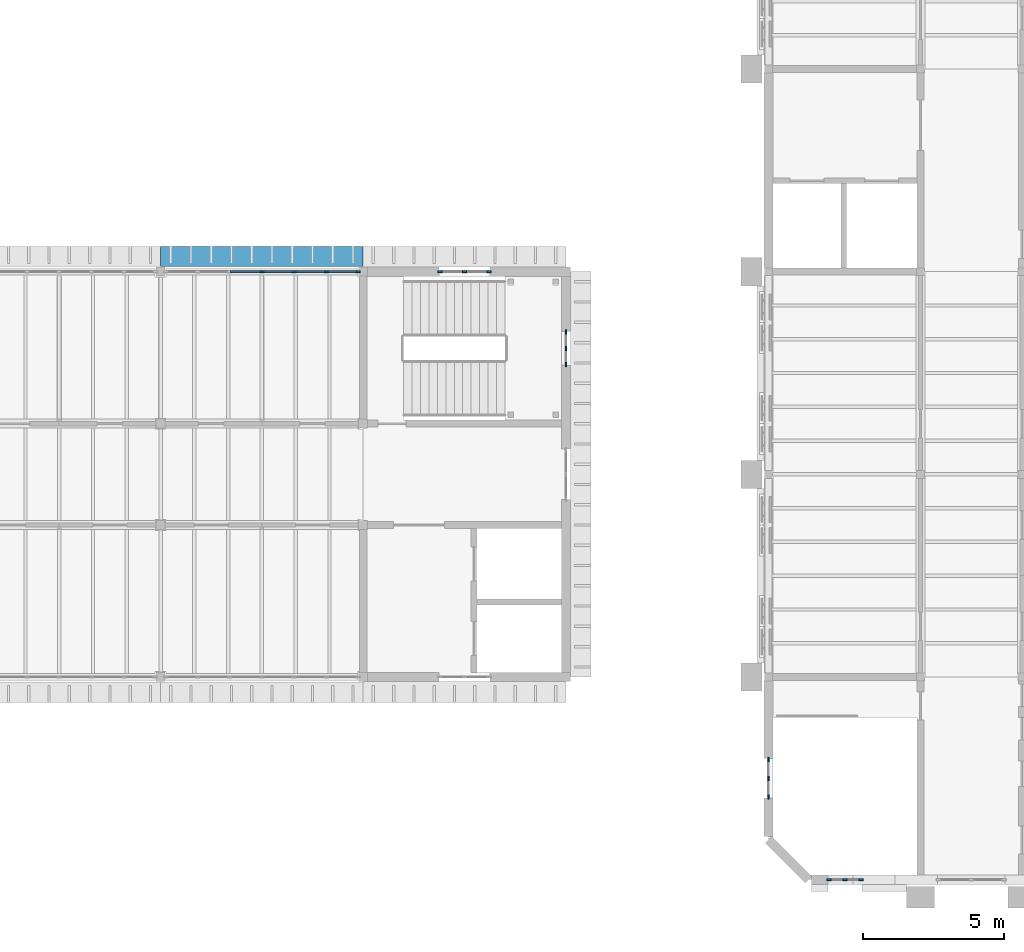
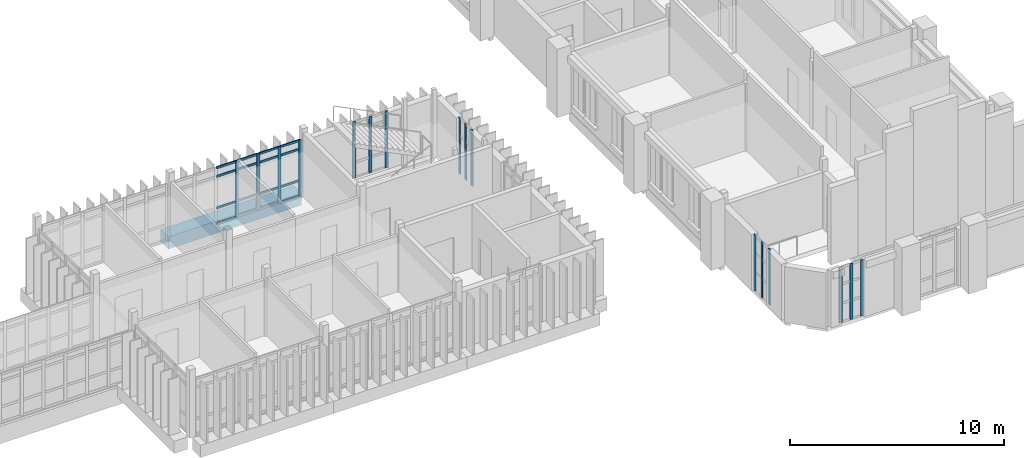
# One storey, part 18 of 71: 33 members, 5 elements without a shape of their own.
"""IFC4 building model written with IfcOpenShell, lengths in metres."""

from ifc_helpers import new_model, si_unit, direction, frame, origin, origin_2d, place, context, subcontext, project, spatial, rectangle, extrude, material, layer, layer_set, material_profile, profile_set, type_object, element, aggregate, save


model = new_model("IFC4")

# Units and contexts
model_context = context("Model", 3, precision=1e-05, world=origin(), true_north=direction((0.0, 1.0)))
body_context = subcontext(model_context, "Body", "Model", "MODEL_VIEW")
ifc_project = project(units=[si_unit("LENGTHUNIT", "METRE"), si_unit("AREAUNIT", "SQUARE_METRE"), si_unit("VOLUMEUNIT", "CUBIC_METRE"), si_unit("PLANEANGLEUNIT", "RADIAN"), si_unit("MASSUNIT", "GRAM", prefix="KILO")], contexts=[model_context])

# Site, building, storey
site_placement = place(None, origin())
site = spatial("IfcSite", under=ifc_project, at=site_placement, CompositionType="ELEMENT")
building_placement = place(site_placement, origin())
building = spatial("IfcBuilding", under=site, at=building_placement, Name="Mazhai Court Health Centre", CompositionType="ELEMENT")
storey_placement = place(building_placement, frame((0.0, 0.0, 10.199951171875)))
storey = spatial("IfcBuildingStorey", under=building, at=storey_placement, Name="L02", CompositionType="ELEMENT", Elevation=10.199951171875)

# Curtain wall, members
ifc_material_1 = material(Name="Teak timber frame, glazed", Category="wood")
ifc_layer_1 = layer(ifc_material_1, 0.10009765625)
ifc_layer_set_1 = layer_set([ifc_layer_1], Name="CURTAIN WALL TIMBER 900")
curtain_wall_type_1 = type_object("IfcCurtainWallType", Name="CURTAIN WALL TIMBER 900", PredefinedType="NOTDEFINED", material=ifc_layer_set_1)
curtain_wall_1_placement = place(storey_placement, origin())
curtain_wall_1 = element("IfcCurtainWall", 1, at=curtain_wall_1_placement, inside=storey, type_object=curtain_wall_type_1, Name="CW-V4-L02-B7", PredefinedType="NOTDEFINED")
ifc_material_2 = material(Name="Teak timber", Category="wood")
ifc_material_profile_1 = material_profile(ifc_material_2, rectangle(XDim=0.06005859375, YDim=0.159912109375, at=origin_2d()), Name="CW MULLION 60x160")
ifc_profile_set_1 = profile_set([ifc_material_profile_1], Name="Teak timber")
member_type_1 = type_object("IfcMemberType", Name="CW MULLION 60x160", PredefinedType="MULLION", material=ifc_profile_set_1)
member_1_placement = place(storey_placement, frame((124.1298828125, 27.800048828125, 0.0), z_axis=(0.0, 0.0, 1.0), x_axis=(0.0, 1.0, 0.0)))
member_1 = element("IfcMember", 2, at=member_1_placement, type_object=member_type_1, Name="CW mullion 1", PredefinedType="MULLION", context=body_context, shape_type="SweptSolid", body=[
    extrude(rectangle(XDim=0.06005859375, YDim=0.159912109375, at=origin_2d()), origin(), (0.0, 0.0, 1.0), 3.219970703125),
])
member_2_placement = place(storey_placement, frame((125.0, 27.800048828125, 0.0), z_axis=(0.0, 0.0, 1.0), x_axis=(0.0, 1.0, 0.0)))
member_2 = element("IfcMember", 3, at=member_2_placement, type_object=member_type_1, Name="CW mullion 2", PredefinedType="MULLION", context=body_context, shape_type="SweptSolid", body=[
    extrude(rectangle(XDim=0.06005859375, YDim=0.159912109375, at=origin_2d()), origin(), (0.0, 0.0, 1.0), 3.219970703125),
])
member_3_placement = place(storey_placement, frame((125.8701171875, 27.800048828125, 0.0), z_axis=(0.0, 0.0, 1.0), x_axis=(0.0, 1.0, 0.0)))
member_3 = element("IfcMember", 4, at=member_3_placement, type_object=member_type_1, Name="CW mullion 3", PredefinedType="MULLION", context=body_context, shape_type="SweptSolid", body=[
    extrude(rectangle(XDim=0.06005859375, YDim=0.159912109375, at=origin_2d()), origin(), (0.0, 0.0, 1.0), 3.219970703125),
])
aggregate(curtain_wall_1, [member_1, member_2, member_3])

ifc_material_3 = material(Name="Teak timber frame, glazed", Category="wood")
ifc_layer_2 = layer(ifc_material_3, 0.10009765625)
ifc_layer_set_2 = layer_set([ifc_layer_2], Name="CURTAIN WALL TIMBER 600")
curtain_wall_type_2 = type_object("IfcCurtainWallType", Name="CURTAIN WALL TIMBER 600", PredefinedType="NOTDEFINED", material=ifc_layer_set_2)
curtain_wall_2_placement = place(storey_placement, origin())
curtain_wall_2 = element("IfcCurtainWall", 5, at=curtain_wall_2_placement, inside=storey, type_object=curtain_wall_type_2, Name="CW-V4-L02-ESTAIR1", PredefinedType="NOTDEFINED")
member_4_placement = place(storey_placement, frame((128.60009765625, 25.64990234375, 0.0), z_axis=(0.0, 0.0, 1.0), x_axis=(1.0, 0.0, 0.0)))
member_4 = element("IfcMember", 6, at=member_4_placement, type_object=member_type_1, Name="CW mullion 1", PredefinedType="MULLION", context=body_context, shape_type="SweptSolid", body=[
    extrude(rectangle(XDim=0.06005859375, YDim=0.159912109375, at=origin_2d()), origin(), (0.0, 0.0, 1.0), 3.199951171875),
])
member_5_placement = place(storey_placement, frame((128.60009765625, 25.080078125, 0.0), z_axis=(0.0, 0.0, 1.0), x_axis=(1.0, 0.0, 0.0)))
member_5 = element("IfcMember", 7, at=member_5_placement, type_object=member_type_1, Name="CW mullion 2", PredefinedType="MULLION", context=body_context, shape_type="SweptSolid", body=[
    extrude(rectangle(XDim=0.06005859375, YDim=0.159912109375, at=origin_2d()), origin(), (0.0, 0.0, 1.0), 3.199951171875),
])
member_6_placement = place(storey_placement, frame((128.60009765625, 24.510009765625, 0.0), z_axis=(0.0, 0.0, 1.0), x_axis=(1.0, 0.0, 0.0)))
member_6 = element("IfcMember", 8, at=member_6_placement, type_object=member_type_1, Name="CW mullion 3", PredefinedType="MULLION", context=body_context, shape_type="SweptSolid", body=[
    extrude(rectangle(XDim=0.06005859375, YDim=0.159912109375, at=origin_2d()), origin(), (0.0, 0.0, 1.0), 3.199951171875),
])
aggregate(curtain_wall_2, [member_4, member_5, member_6])

ifc_material_4 = material(Name="Teak timber frame, glazed", Category="wood")
ifc_layer_3 = layer(ifc_material_4, 0.10009765625)
ifc_layer_set_3 = layer_set([ifc_layer_3], Name="CURTAIN WALL TIMBER 1200")
curtain_wall_type_3 = type_object("IfcCurtainWallType", Name="CURTAIN WALL TIMBER 1200", PredefinedType="NOTDEFINED", material=ifc_layer_set_3)
curtain_wall_3_placement = place(storey_placement, origin())
curtain_wall_3 = element("IfcCurtainWall", 9, at=curtain_wall_3_placement, inside=storey, type_object=curtain_wall_type_3, Name="CW-V4-L02-B6", PredefinedType="NOTDEFINED")
member_7_placement = place(storey_placement, frame((117.800048828125, 27.800048828125, 0.0), z_axis=(0.0, 0.0, 1.0), x_axis=(0.0, 1.0, 0.0)))
member_7 = element("IfcMember", 10, at=member_7_placement, type_object=member_type_1, Name="CW mullion 4", PredefinedType="MULLION", context=body_context, shape_type="SweptSolid", body=[
    extrude(rectangle(XDim=0.06005859375, YDim=0.159912109375, at=origin_2d()), origin(), (0.0, 0.0, 1.0), 3.219970703125),
])
member_8_placement = place(storey_placement, frame((118.94677734375, 27.800048828125, 0.0), z_axis=(0.0, 0.0, 1.0), x_axis=(0.0, 1.0, 0.0)))
member_8 = element("IfcMember", 11, at=member_8_placement, type_object=member_type_1, Name="CW mullion 5", PredefinedType="MULLION", context=body_context, shape_type="SweptSolid", body=[
    extrude(rectangle(XDim=0.06005859375, YDim=0.159912109375, at=origin_2d()), origin(), (0.0, 0.0, 1.0), 3.219970703125),
])
member_9_placement = place(storey_placement, frame((120.09326171875, 27.800048828125, 0.0), z_axis=(0.0, 0.0, 1.0), x_axis=(0.0, 1.0, 0.0)))
member_9 = element("IfcMember", 12, at=member_9_placement, type_object=member_type_1, Name="CW mullion 6", PredefinedType="MULLION", context=body_context, shape_type="SweptSolid", body=[
    extrude(rectangle(XDim=0.06005859375, YDim=0.159912109375, at=origin_2d()), origin(), (0.0, 0.0, 1.0), 3.219970703125),
])
member_10_placement = place(storey_placement, frame((121.2099609375, 27.800048828125, 0.0), z_axis=(0.0, 0.0, 1.0), x_axis=(0.0, 1.0, 0.0)))
member_10 = element("IfcMember", 13, at=member_10_placement, type_object=member_type_1, Name="CW mullion 7", PredefinedType="MULLION", context=body_context, shape_type="SweptSolid", body=[
    extrude(rectangle(XDim=0.06005859375, YDim=0.159912109375, at=origin_2d()), origin(), (0.0, 0.0, 1.0), 3.219970703125),
])

curtain_wall_4_placement = place(storey_placement, origin())
curtain_wall_4 = element("IfcCurtainWall", 14, at=curtain_wall_4_placement, inside=storey, type_object=curtain_wall_type_2, Name="CW-V6-L02-A0", PredefinedType="NOTDEFINED")
member_11_placement = place(storey_placement, frame((135.800048828125, 9.1298828125, 0.0), z_axis=(0.0, 0.0, 1.0), x_axis=(-1.0, 0.0, 0.0)))
member_11 = element("IfcMember", 15, at=member_11_placement, type_object=member_type_1, Name="CW mullion 1", PredefinedType="MULLION", context=body_context, shape_type="SweptSolid", body=[
    extrude(rectangle(XDim=0.06005859375, YDim=0.159912109375, at=origin_2d()), origin(), (0.0, 0.0, 1.0), 3.199951171875),
])
member_12_placement = place(storey_placement, frame((135.800048828125, 9.800048828125, 0.0), z_axis=(0.0, 0.0, 1.0), x_axis=(-1.0, 0.0, 0.0)))
member_12 = element("IfcMember", 16, at=member_12_placement, type_object=member_type_1, Name="CW mullion 2", PredefinedType="MULLION", context=body_context, shape_type="SweptSolid", body=[
    extrude(rectangle(XDim=0.06005859375, YDim=0.159912109375, at=origin_2d()), origin(), (0.0, 0.0, 1.0), 3.199951171875),
])
member_13_placement = place(storey_placement, frame((135.800048828125, 10.469970703125, 0.0), z_axis=(0.0, 0.0, 1.0), x_axis=(-1.0, 0.0, 0.0)))
member_13 = element("IfcMember", 17, at=member_13_placement, type_object=member_type_1, Name="CW mullion 3", PredefinedType="MULLION", context=body_context, shape_type="SweptSolid", body=[
    extrude(rectangle(XDim=0.06005859375, YDim=0.159912109375, at=origin_2d()), origin(), (0.0, 0.0, 1.0), 3.199951171875),
])
aggregate(curtain_wall_4, [member_11, member_12, member_13])

curtain_wall_5_placement = place(storey_placement, origin())
curtain_wall_5 = element("IfcCurtainWall", 18, at=curtain_wall_5_placement, inside=storey, type_object=curtain_wall_type_2, Name="CW-V6-L02-SSTAIR0", PredefinedType="NOTDEFINED")
member_14_placement = place(storey_placement, frame((139.090087890625, 6.199951171875, 0.0), z_axis=(0.0, 0.0, 1.0), x_axis=(0.0, -1.0, 0.0)))
member_14 = element("IfcMember", 19, at=member_14_placement, type_object=member_type_1, Name="CW mullion 1", PredefinedType="MULLION", context=body_context, shape_type="SweptSolid", body=[
    extrude(rectangle(XDim=0.06005859375, YDim=0.159912109375, at=origin_2d()), origin(), (0.0, 0.0, 1.0), 3.199951171875),
])
member_15_placement = place(storey_placement, frame((138.52001953125, 6.199951171875, 0.0), z_axis=(0.0, 0.0, 1.0), x_axis=(0.0, -1.0, 0.0)))
member_15 = element("IfcMember", 20, at=member_15_placement, type_object=member_type_1, Name="CW mullion 2", PredefinedType="MULLION", context=body_context, shape_type="SweptSolid", body=[
    extrude(rectangle(XDim=0.06005859375, YDim=0.159912109375, at=origin_2d()), origin(), (0.0, 0.0, 1.0), 3.199951171875),
])
member_16_placement = place(storey_placement, frame((137.949951171875, 6.199951171875, 0.0), z_axis=(0.0, 0.0, 1.0), x_axis=(0.0, -1.0, 0.0)))
member_16 = element("IfcMember", 21, at=member_16_placement, type_object=member_type_1, Name="CW mullion 3", PredefinedType="MULLION", context=body_context, shape_type="SweptSolid", body=[
    extrude(rectangle(XDim=0.06005859375, YDim=0.159912109375, at=origin_2d()), origin(), (0.0, 0.0, 1.0), 3.199951171875),
])
aggregate(curtain_wall_5, [member_14, member_15, member_16])

# Member
ifc_material_5 = material(Name="Teak timber", Category="wood")
ifc_material_profile_2 = material_profile(ifc_material_5, rectangle(XDim=0.06005859375, YDim=0.1201171875, at=origin_2d()), Name="CW TRANSOM 60x120")
ifc_profile_set_2 = profile_set([ifc_material_profile_2], Name="Teak timber")
member_type_2 = type_object("IfcMemberType", Name="CW TRANSOM 60x120", PredefinedType="USERDEFINED", material=ifc_profile_set_2)
member_17_placement = place(storey_placement, frame((116.683349609375, 27.800048828125, 0.030029296875), z_axis=(1.0, 0.0, 0.0), x_axis=(0.0, 1.0, 0.0)))
member_17 = element("IfcMember", 22, at=member_17_placement, type_object=member_type_2, Name="CW transom 3.1", ObjectType="TRANSOM", PredefinedType="USERDEFINED", context=body_context, shape_type="SweptSolid", body=[
    extrude(rectangle(XDim=0.06005859375, YDim=0.1201171875, at=origin_2d()), origin(), (0.0, 0.0, 1.0), 1.086669921875),
])

member_18_placement = place(storey_placement, frame((116.683349609375, 27.800048828125, 0.900146484375), z_axis=(1.0, 0.0, 0.0), x_axis=(0.0, 1.0, 0.0)))
member_18 = element("IfcMember", 23, at=member_18_placement, type_object=member_type_2, Name="CW transom 3.2", ObjectType="TRANSOM", PredefinedType="USERDEFINED", context=body_context, shape_type="SweptSolid", body=[
    extrude(rectangle(XDim=0.06005859375, YDim=0.1201171875, at=origin_2d()), origin(), (0.0, 0.0, 1.0), 1.086669921875),
])

member_19_placement = place(storey_placement, frame((116.683349609375, 27.800048828125, 2.699951171875), z_axis=(1.0, 0.0, 0.0), x_axis=(0.0, 1.0, 0.0)))
member_19 = element("IfcMember", 24, at=member_19_placement, type_object=member_type_2, Name="CW transom 3.3", ObjectType="TRANSOM", PredefinedType="USERDEFINED", context=body_context, shape_type="SweptSolid", body=[
    extrude(rectangle(XDim=0.06005859375, YDim=0.1201171875, at=origin_2d()), origin(), (0.0, 0.0, 1.0), 1.086669921875),
])

member_20_placement = place(storey_placement, frame((116.683349609375, 27.800048828125, 3.18994140625), z_axis=(1.0, 0.0, 0.0), x_axis=(0.0, 1.0, 0.0)))
member_20 = element("IfcMember", 25, at=member_20_placement, type_object=member_type_2, Name="CW transom 3.4", ObjectType="TRANSOM", PredefinedType="USERDEFINED", context=body_context, shape_type="SweptSolid", body=[
    extrude(rectangle(XDim=0.06005859375, YDim=0.1201171875, at=origin_2d()), origin(), (0.0, 0.0, 1.0), 1.086669921875),
])

member_21_placement = place(storey_placement, frame((117.830078125, 27.800048828125, 0.030029296875), z_axis=(1.0, 0.0, 0.0), x_axis=(0.0, 1.0, 0.0)))
member_21 = element("IfcMember", 26, at=member_21_placement, type_object=member_type_2, Name="CW transom 4.1", ObjectType="TRANSOM", PredefinedType="USERDEFINED", context=body_context, shape_type="SweptSolid", body=[
    extrude(rectangle(XDim=0.06005859375, YDim=0.1201171875, at=origin_2d()), origin(), (0.0, 0.0, 1.0), 1.086669921875),
])

member_22_placement = place(storey_placement, frame((117.830078125, 27.800048828125, 0.900146484375), z_axis=(1.0, 0.0, 0.0), x_axis=(0.0, 1.0, 0.0)))
member_22 = element("IfcMember", 27, at=member_22_placement, type_object=member_type_2, Name="CW transom 4.2", ObjectType="TRANSOM", PredefinedType="USERDEFINED", context=body_context, shape_type="SweptSolid", body=[
    extrude(rectangle(XDim=0.06005859375, YDim=0.1201171875, at=origin_2d()), origin(), (0.0, 0.0, 1.0), 1.086669921875),
])

member_23_placement = place(storey_placement, frame((117.830078125, 27.800048828125, 2.699951171875), z_axis=(1.0, 0.0, 0.0), x_axis=(0.0, 1.0, 0.0)))
member_23 = element("IfcMember", 28, at=member_23_placement, type_object=member_type_2, Name="CW transom 4.3", ObjectType="TRANSOM", PredefinedType="USERDEFINED", context=body_context, shape_type="SweptSolid", body=[
    extrude(rectangle(XDim=0.06005859375, YDim=0.1201171875, at=origin_2d()), origin(), (0.0, 0.0, 1.0), 1.086669921875),
])

member_24_placement = place(storey_placement, frame((117.830078125, 27.800048828125, 3.18994140625), z_axis=(1.0, 0.0, 0.0), x_axis=(0.0, 1.0, 0.0)))
member_24 = element("IfcMember", 29, at=member_24_placement, type_object=member_type_2, Name="CW transom 4.4", ObjectType="TRANSOM", PredefinedType="USERDEFINED", context=body_context, shape_type="SweptSolid", body=[
    extrude(rectangle(XDim=0.06005859375, YDim=0.1201171875, at=origin_2d()), origin(), (0.0, 0.0, 1.0), 1.086669921875),
])

member_25_placement = place(storey_placement, frame((118.9765625, 27.800048828125, 0.030029296875), z_axis=(1.0, 0.0, 0.0), x_axis=(0.0, 1.0, 0.0)))
member_25 = element("IfcMember", 30, at=member_25_placement, type_object=member_type_2, Name="CW transom 5.1", ObjectType="TRANSOM", PredefinedType="USERDEFINED", context=body_context, shape_type="SweptSolid", body=[
    extrude(rectangle(XDim=0.06005859375, YDim=0.1201171875, at=origin_2d()), origin(), (0.0, 0.0, 1.0), 1.086669921875),
])

member_26_placement = place(storey_placement, frame((118.9765625, 27.800048828125, 0.900146484375), z_axis=(1.0, 0.0, 0.0), x_axis=(0.0, 1.0, 0.0)))
member_26 = element("IfcMember", 31, at=member_26_placement, type_object=member_type_2, Name="CW transom 5.2", ObjectType="TRANSOM", PredefinedType="USERDEFINED", context=body_context, shape_type="SweptSolid", body=[
    extrude(rectangle(XDim=0.06005859375, YDim=0.1201171875, at=origin_2d()), origin(), (0.0, 0.0, 1.0), 1.086669921875),
])

member_27_placement = place(storey_placement, frame((118.9765625, 27.800048828125, 2.699951171875), z_axis=(1.0, 0.0, 0.0), x_axis=(0.0, 1.0, 0.0)))
member_27 = element("IfcMember", 32, at=member_27_placement, type_object=member_type_2, Name="CW transom 5.3", ObjectType="TRANSOM", PredefinedType="USERDEFINED", context=body_context, shape_type="SweptSolid", body=[
    extrude(rectangle(XDim=0.06005859375, YDim=0.1201171875, at=origin_2d()), origin(), (0.0, 0.0, 1.0), 1.086669921875),
])

member_28_placement = place(storey_placement, frame((118.9765625, 27.800048828125, 3.18994140625), z_axis=(1.0, 0.0, 0.0), x_axis=(0.0, 1.0, 0.0)))
member_28 = element("IfcMember", 33, at=member_28_placement, type_object=member_type_2, Name="CW transom 5.4", ObjectType="TRANSOM", PredefinedType="USERDEFINED", context=body_context, shape_type="SweptSolid", body=[
    extrude(rectangle(XDim=0.06005859375, YDim=0.1201171875, at=origin_2d()), origin(), (0.0, 0.0, 1.0), 1.086669921875),
])

member_29_placement = place(storey_placement, frame((120.123291015625, 27.800048828125, 0.030029296875), z_axis=(1.0, 0.0, 0.0), x_axis=(0.0, 1.0, 0.0)))
member_29 = element("IfcMember", 34, at=member_29_placement, type_object=member_type_2, Name="CW transom 6.1", ObjectType="TRANSOM", PredefinedType="USERDEFINED", context=body_context, shape_type="SweptSolid", body=[
    extrude(rectangle(XDim=0.06005859375, YDim=0.1201171875, at=origin_2d()), origin(), (0.0, 0.0, 1.0), 1.056640625),
])

member_30_placement = place(storey_placement, frame((120.123291015625, 27.800048828125, 0.900146484375), z_axis=(1.0, 0.0, 0.0), x_axis=(0.0, 1.0, 0.0)))
member_30 = element("IfcMember", 35, at=member_30_placement, type_object=member_type_2, Name="CW transom 6.2", ObjectType="TRANSOM", PredefinedType="USERDEFINED", context=body_context, shape_type="SweptSolid", body=[
    extrude(rectangle(XDim=0.06005859375, YDim=0.1201171875, at=origin_2d()), origin(), (0.0, 0.0, 1.0), 1.056640625),
])

member_31_placement = place(storey_placement, frame((120.123291015625, 27.800048828125, 2.699951171875), z_axis=(1.0, 0.0, 0.0), x_axis=(0.0, 1.0, 0.0)))
member_31 = element("IfcMember", 36, at=member_31_placement, type_object=member_type_2, Name="CW transom 6.3", ObjectType="TRANSOM", PredefinedType="USERDEFINED", context=body_context, shape_type="SweptSolid", body=[
    extrude(rectangle(XDim=0.06005859375, YDim=0.1201171875, at=origin_2d()), origin(), (0.0, 0.0, 1.0), 1.056640625),
])

member_32_placement = place(storey_placement, frame((120.123291015625, 27.800048828125, 3.18994140625), z_axis=(1.0, 0.0, 0.0), x_axis=(0.0, 1.0, 0.0)))
member_32 = element("IfcMember", 37, at=member_32_placement, type_object=member_type_2, Name="CW transom 6.4", ObjectType="TRANSOM", PredefinedType="USERDEFINED", context=body_context, shape_type="SweptSolid", body=[
    extrude(rectangle(XDim=0.06005859375, YDim=0.1201171875, at=origin_2d()), origin(), (0.0, 0.0, 1.0), 1.056640625),
])

aggregate(curtain_wall_3, [member_7, member_8, member_9, member_10, member_17, member_18, member_19, member_20, member_21, member_22, member_23, member_24, member_25, member_26, member_27, member_28, member_29, member_30, member_31, member_32])

ifc_material_6 = material(Name="Glulam GL24h", Category="wood")
ifc_material_profile_3 = material_profile(ifc_material_6, rectangle(XDim=0.719970703125, YDim=0.699951171875, at=origin_2d()), Name="FIN RAIL 720x700")
ifc_profile_set_3 = profile_set([ifc_material_profile_3], Name="Glulam GL24h")
member_type_3 = type_object("IfcMemberType", Name="FIN RAIL 720x700", PredefinedType="USERDEFINED", material=ifc_profile_set_3)
member_33_placement = place(storey_placement, frame((114.199951171875, 28.340087890625, -0.349853515625), z_axis=(1.0, 0.0, 0.0), x_axis=(0.0, 1.0, 0.0)))
element("IfcMember", 38, at=member_33_placement, inside=storey, type_object=member_type_3, Name="FR-V4-B4-L02", ObjectType="FIN RAIL", PredefinedType="USERDEFINED", context=body_context, shape_type="SweptSolid", body=[
    extrude(rectangle(XDim=0.719970703125, YDim=0.699951171875, at=origin_2d()), origin(), (0.0, 0.0, 1.0), 7.199951171875),
])

save(model, "model.ifc")
